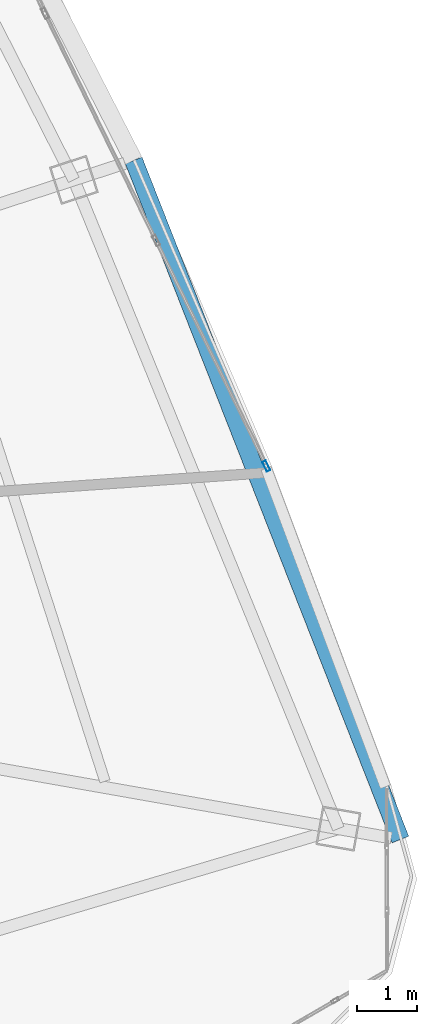
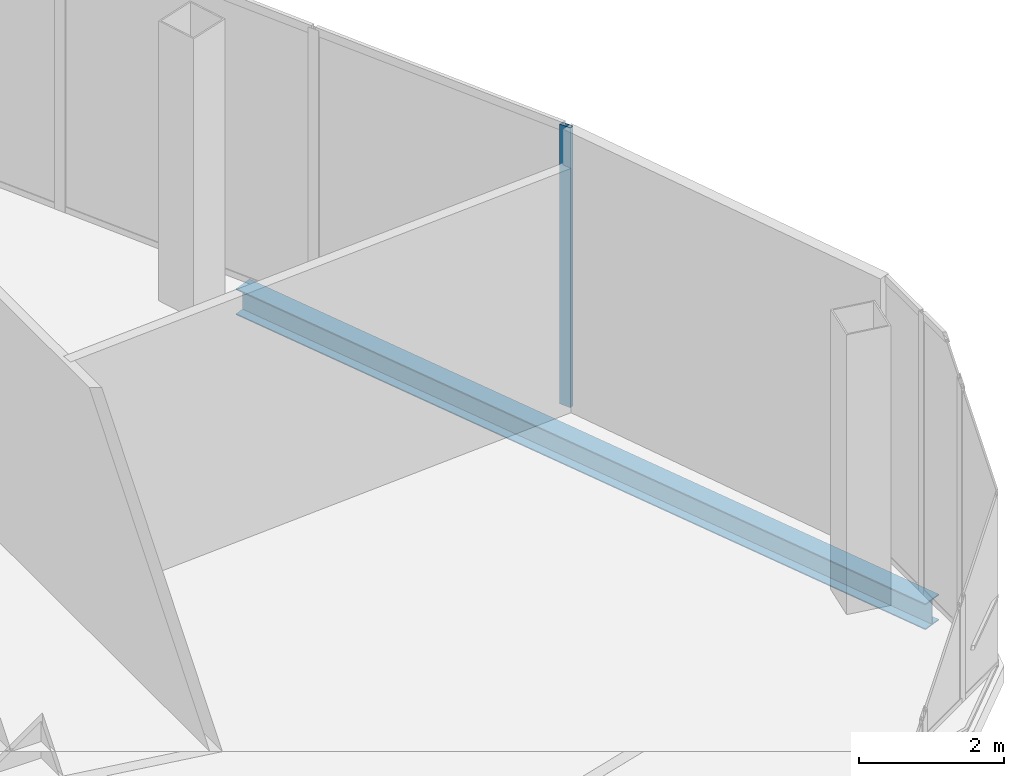
# One storey, part 18 of 33: 1 beam, 1 member, 1 element without a shape of its own.
"""IFC4 building model written with IfcOpenShell, lengths in metres."""

from ifc_helpers import new_model, si_unit, direction, frame, origin, origin_2d, place, context, subcontext, project, spatial, hollow_rectangle, i_section, extrude, source, transform, mapped, material, layer, layer_set, material_profile, profile_set, type_object, element, aggregate, save


model = new_model("IFC4")

# Units and contexts
model_context = context("Model", 3, precision=1e-05, world=origin(), true_north=direction((0.0, 1.0)))
body_context = subcontext(model_context, "Body", "Model", "MODEL_VIEW")
ifc_project = project(units=[si_unit("LENGTHUNIT", "METRE"), si_unit("AREAUNIT", "SQUARE_METRE"), si_unit("VOLUMEUNIT", "CUBIC_METRE"), si_unit("PLANEANGLEUNIT", "RADIAN"), si_unit("MASSUNIT", "GRAM", prefix="KILO"), si_unit("THERMODYNAMICTEMPERATUREUNIT", "KELVIN"), si_unit("POWERUNIT", "WATT")], contexts=[model_context])

# Site, building, storey
site_placement = place(None, origin())
site = spatial("IfcSite", under=ifc_project, at=site_placement, CompositionType="ELEMENT")
building_placement = place(site_placement, origin())
building = spatial("IfcBuilding", under=site, at=building_placement, Name="Yunzhuo Pagoda Commons", CompositionType="ELEMENT")
storey_placement = place(building_placement, frame((0.0, 0.0, 386.760009765625)))
storey = spatial("IfcBuildingStorey", under=building, at=storey_placement, Name="L96", CompositionType="ELEMENT", Elevation=386.760009765625)

# Beam
ifc_material_1 = material(Name="Structural steel Q355B", Category="steel")
ifc_material_profile_1 = material_profile(ifc_material_1, i_section(OverallWidth=0.300048828125, OverallDepth=0.43994140625, WebThickness=0.010986328125, FlangeThickness=0.01806640625, at=origin_2d()), Name="Structural steel Q355B")
ifc_profile_set_1 = profile_set([ifc_material_profile_1], Name="Structural steel Q355B")
beam_type = type_object("IfcBeamType", Name="B-SP2 Beam HM 440x300x11x18", PredefinedType="BEAM", material=ifc_profile_set_1)
shared_shape_1 = source(origin(), body_context, "Body", "SweptSolid", [
    extrude(i_section(OverallWidth=0.300048828125, OverallDepth=0.43994140625, WebThickness=0.010986328125, FlangeThickness=0.01806640625, at=origin_2d()), origin(), (0.0, 0.0, 1.0), 12.18017578125),
])
beam_placement = place(storey_placement, frame((73.504150390625, 29.202880859375, -0.5), z_axis=(-0.365522138301, 0.930802646328, 0.0), x_axis=(-0.930802646328, -0.365522138301, 0.0)))
element("IfcBeam", 1, at=beam_placement, inside=storey, type_object=beam_type, Name="L96 facade edge spandrel beam F2.1", PredefinedType="BEAM", context=body_context, shape_type="MappedRepresentation", body=[
    mapped(shared_shape_1, transform((0.0, 0.0, 0.0), scale=1.0)),
])

# Curtain wall, member
ifc_material_2 = material(Name="Anodized aluminium 6063-T6", Category="aluminium")
ifc_layer = layer(ifc_material_2, 0.179931640625)
ifc_layer_set = layer_set([ifc_layer], Name="Anodized aluminium 6063-T6")
curtain_wall_type = type_object("IfcCurtainWallType", Name="CW-CRN Crown Gable Glazing System", PredefinedType="NOTDEFINED", material=ifc_layer_set)
curtain_wall_placement = place(storey_placement, origin())
curtain_wall = element("IfcCurtainWall", 2, at=curtain_wall_placement, inside=storey, type_object=curtain_wall_type, Name="L96 curtain wall CW-L96-CRNF2G1", PredefinedType="NOTDEFINED")
ifc_material_profile_2 = material_profile(ifc_material_2, hollow_rectangle(XDim=0.06494140625, YDim=0.179931640625, WallThickness=0.00390625, at=origin_2d()), Name="Anodized aluminium 6063-T6")
ifc_profile_set_2 = profile_set([ifc_material_profile_2], Name="Anodized aluminium 6063-T6")
member_type = type_object("IfcMemberType", Name="CW-CRN-M Mullion RHS 180x65x4", PredefinedType="MULLION", material=ifc_profile_set_2)
shared_shape_2 = source(origin(), body_context, "Body", "SweptSolid", [
    extrude(hollow_rectangle(XDim=0.06494140625, YDim=0.179931640625, WallThickness=0.00390625, at=origin_2d()), origin(), (0.0, 0.0, 1.0), 4.72021484375),
])
member_placement = place(storey_placement, frame((71.266845703125, 35.4384765625, 0.0), z_axis=(0.0, 0.0, 1.0), x_axis=(-0.898299261226, -0.439384156839, 0.0)))
member = element("IfcMember", 3, at=member_placement, type_object=member_type, Name="CW mullion 1", PredefinedType="MULLION", context=body_context, shape_type="MappedRepresentation", body=[
    mapped(shared_shape_2, transform((0.0, 0.0, 0.0), scale=1.0)),
])
aggregate(curtain_wall, [member])

save(model, "model.ifc")
